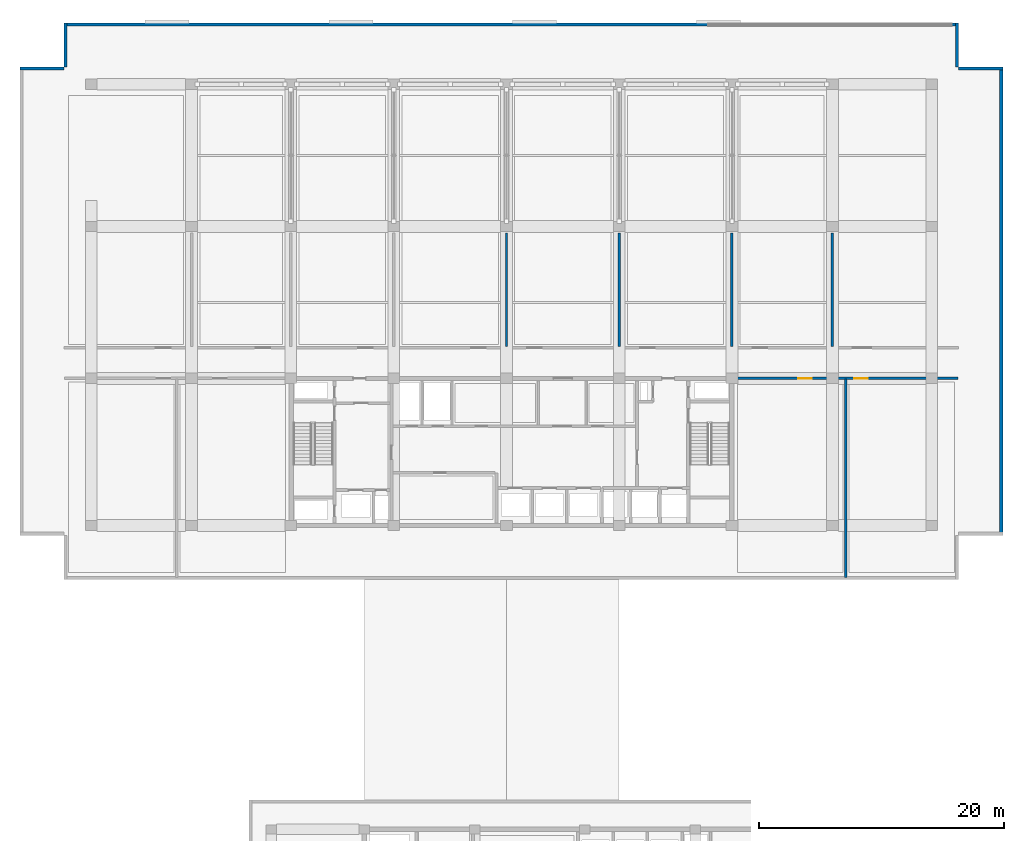
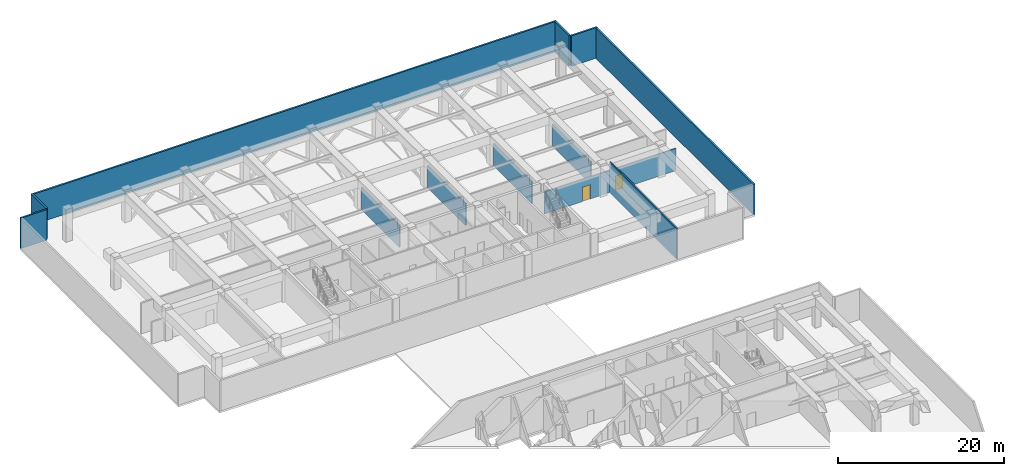
# One storey, part 13 of 22: 12 walls, 2 doors, 2 openings.
"""IFC4 building model written with IfcOpenShell, lengths in metres."""

from ifc_helpers import new_model, si_unit, direction, frame, frame_2d, origin, place, context, subcontext, project, spatial, rectangle, extrude, material, layer, layer_set, type_object, element, fill, save


model = new_model("IFC4")

# Units and contexts
model_context = context("Model", 3, precision=1e-05, world=origin(), true_north=direction((0.0, 1.0)))
body_context = subcontext(model_context, "Body", "Model", "MODEL_VIEW")
ifc_project = project(units=[si_unit("LENGTHUNIT", "METRE"), si_unit("AREAUNIT", "SQUARE_METRE"), si_unit("VOLUMEUNIT", "CUBIC_METRE"), si_unit("PLANEANGLEUNIT", "RADIAN"), si_unit("MASSUNIT", "GRAM", prefix="KILO")], contexts=[model_context])

# Site, building, storey
site_placement = place(None, origin())
site = spatial("IfcSite", under=ifc_project, at=site_placement, CompositionType="ELEMENT")
building_placement = place(site_placement, origin())
building = spatial("IfcBuilding", under=site, at=building_placement, Name="Korimba Cascade Residences", CompositionType="ELEMENT")
storey_placement = place(building_placement, frame((0.0, 0.0, 157.300048828125)))
storey = spatial("IfcBuildingStorey", under=building, at=storey_placement, Name="L45", CompositionType="ELEMENT", Elevation=157.300048828125)

# Walls
ifc_material_1 = material(Name="Precast concrete C40/50", Category="concrete")
ifc_layer_1 = layer(ifc_material_1, 0.25)
ifc_layer_set_1 = layer_set([ifc_layer_1], Name="Precast concrete C40/50")
wall_type_1 = type_object("IfcWallType", Name="EW-PLNT-250", PredefinedType="SHEAR", material=ifc_layer_set_1)
wall_1_placement = place(storey_placement, frame((134.074951171875, 54.39990234375, 0.0), z_axis=(0.0, 0.0, 1.0), x_axis=(0.0, 1.0, 0.0)))
element("IfcWall", 1, at=wall_1_placement, inside=storey, type_object=wall_type_1, Name="L45 T1 Perimeter Stone Wall E03", PredefinedType="SHEAR", context=body_context, shape_type="SweptSolid", body=[
    extrude(rectangle(XDim=38.2001953125, YDim=0.25, at=frame_2d((19.10009765625, 0.0))), origin(), (0.0, 0.0, 1.0), 4.47998046875),
])
for number, where, z_axis, x_axis, name in (
    (2, (134.199951171875, 92.47509765625, 0.0), (0.0, 0.0, 1.0), (-1.0, 0.0, 0.0), "L45 T1 Perimeter Stone Wall E04"),
    (3, (130.47509765625, 92.60009765625, 0.0), (0.0, 0.0, 1.0), (0.0, 1.0, 0.0), "L45 T1 Perimeter Stone Wall E05"),
):
    element("IfcWall", number, at=place(storey_placement, frame(where, z_axis=z_axis, x_axis=x_axis)), inside=storey, type_object=wall_type_1, Name=name, PredefinedType="SHEAR", context=body_context, shape_type="SweptSolid", body=[
        extrude(rectangle(XDim=3.599853515625, YDim=0.25, at=frame_2d((1.7998046875, 0.0))), origin(), (0.0, 0.0, 1.0), 4.47998046875),
    ])
wall_2_placement = place(storey_placement, frame((130.60009765625, 96.074951171875, 0.0), z_axis=(0.0, 0.0, 1.0), x_axis=(-1.0, 0.0, 0.0)))
element("IfcWall", 4, at=wall_2_placement, inside=storey, type_object=wall_type_1, Name="L45 T1 Perimeter Stone Wall E06", PredefinedType="SHEAR", context=body_context, shape_type="SweptSolid", body=[
    extrude(rectangle(XDim=73.0, YDim=0.25, at=frame_2d((36.5, 0.0))), origin(), (0.0, 0.0, 1.0), 4.47998046875),
])
wall_3_placement = place(storey_placement, frame((57.72509765625, 96.199951171875, 0.0), z_axis=(0.0, 0.0, 1.0), x_axis=(0.0, -1.0, 0.0)))
element("IfcWall", 5, at=wall_3_placement, inside=storey, type_object=wall_type_1, Name="L45 T1 Perimeter Stone Wall E07", PredefinedType="SHEAR", context=body_context, shape_type="SweptSolid", body=[
    extrude(rectangle(XDim=3.599853515625, YDim=0.25, at=frame_2d((1.7998046875, 0.0))), origin(), (0.0, 0.0, 1.0), 4.47998046875),
])
wall_4_placement = place(storey_placement, frame((57.60009765625, 92.47509765625, 0.0), z_axis=(0.0, 0.0, 1.0), x_axis=(-1.0, 0.0, 0.0)))
element("IfcWall", 6, at=wall_4_placement, inside=storey, type_object=wall_type_1, Name="L45 T1 Perimeter Stone Wall E08", PredefinedType="SHEAR", context=body_context, shape_type="SweptSolid", body=[
    extrude(rectangle(XDim=3.60009765625, YDim=0.25, at=frame_2d((1.800048828125, 0.0))), origin(), (0.0, 0.0, 1.0), 4.47998046875),
])
ifc_material_2 = material(Name="Concrete C40/50", Category="concrete")
ifc_layer_2 = layer(ifc_material_2, 0.199951171875)
ifc_layer_set_2 = layer_set([ifc_layer_2], Name="Concrete C40/50")
wall_type_2 = type_object("IfcWallType", Name="WAL-PART-200", PredefinedType="PARTITIONING", material=ifc_layer_set_2)
for number, where, z_axis, x_axis, name in (
    (7, (93.699951171875, 69.800048828125, 0.0), (0.0, 0.0, 1.0), (0.0, 1.0, 0.0), "L45 Partition Wall WAL-L45-T1-PD4"),
    (8, (102.89990234375, 69.800048828125, 0.0), (0.0, 0.0, 1.0), (0.0, 1.0, 0.0), "L45 Partition Wall WAL-L45-T1-PD5"),
    (9, (112.10009765625, 69.800048828125, 0.0), (0.0, 0.0, 1.0), (0.0, 1.0, 0.0), "L45 Partition Wall WAL-L45-T1-PD6"),
    (10, (120.300048828125, 69.800048828125, 0.0), (0.0, 0.0, 1.0), (0.0, 1.0, 0.0), "L45 Partition Wall WAL-L45-T1-PD7"),
):
    element("IfcWall", number, at=place(storey_placement, frame(where, z_axis=z_axis, x_axis=x_axis)), inside=storey, type_object=wall_type_2, Name=name, PredefinedType="PARTITIONING", context=body_context, shape_type="SweptSolid", body=[
        extrude(rectangle(XDim=9.25, YDim=0.199951171875, at=frame_2d((4.625, 0.0))), origin(), (0.0, 0.0, 1.0), 3.22998046875),
    ])
wall_5_placement = place(storey_placement, frame((121.39990234375, 50.949951171875, 0.0), z_axis=(0.0, 0.0, 1.0), x_axis=(0.0, 1.0, 0.0)))
element("IfcWall", 11, at=wall_5_placement, inside=storey, type_object=wall_type_2, Name="L45 Partition Wall WAL-L45-T1-RWEV", PredefinedType="PARTITIONING", context=body_context, shape_type="SweptSolid", body=[
    extrude(rectangle(XDim=16.199951171875, YDim=0.199951171875, at=frame_2d((8.10009765625, 0.0))), origin(), (0.0, 0.0, 1.0), 4.47998046875),
])

# Wall, openings, doors
wall_6_placement = place(storey_placement, frame((112.25, 67.199951171875, 0.0), z_axis=(0.0, 0.0, 1.0), x_axis=(1.0, 0.0, 0.0)))
wall_6 = element("IfcWall", 12, at=wall_6_placement, inside=storey, type_object=wall_type_2, Name="L45 Partition Wall WAL-L45-T1-RWEN", PredefinedType="PARTITIONING", context=body_context, shape_type="SweptSolid", body=[
    extrude(rectangle(XDim=18.300048828125, YDim=0.199951171875, at=frame_2d((9.14990234375, 0.0))), origin(), (0.0, 0.0, 1.0), 3.22998046875),
])
opening_1_placement = place(wall_6_placement, frame((5.2529296875, 0.0, 0.0)))
opening_1 = element("IfcOpeningElement", 13, at=opening_1_placement, cuts=wall_6, Name="Opening D-FD1", PredefinedType="OPENING", context=body_context, shape_type="SweptSolid", body=[
    extrude(rectangle(XDim=1.10009765625, YDim=2.10009765625, at=frame_2d((0.550048828125, 1.050048828125))), frame((0.0, 0.10986328125, 0.0), z_axis=(0.0, -1.0, 0.0), x_axis=(1.0, 0.0, 0.0)), (0.0, 0.0, 1.0), 0.219970703125),
])
opening_2_placement = place(wall_6_placement, frame((9.833984375, 0.0, 0.0)))
opening_2 = element("IfcOpeningElement", 14, at=opening_2_placement, cuts=wall_6, Name="Opening D-FD1", PredefinedType="OPENING", context=body_context, shape_type="SweptSolid", body=[
    extrude(rectangle(XDim=1.10009765625, YDim=2.10009765625, at=frame_2d((0.550048828125, 1.050048828125))), frame((0.0, 0.10986328125, 0.0), z_axis=(0.0, -1.0, 0.0), x_axis=(1.0, 0.0, 0.0)), (0.0, 0.0, 1.0), 0.219970703125),
])
ifc_material_3 = material(Name="Fire-Rated Steel Core Door", Category="steel")
door_type = type_object("IfcDoorType", Name="DR-FD120-1100", OperationType="NOTDEFINED", PredefinedType="DOOR", material=ifc_material_3)
door_1_placement = place(opening_1_placement, origin())
door_1 = element("IfcDoor", 15, at=door_1_placement, inside=storey, type_object=door_type, Name="L45 E Tank Plant Door", OperationType="SINGLE_SWING_RIGHT", OverallHeight=2.10009765625, OverallWidth=1.10009765625, PredefinedType="DOOR", context=body_context, shape_type="SweptSolid", body=[
    extrude(rectangle(XDim=1.10009765625, YDim=2.10009765625, at=frame_2d((0.550048828125, 1.050048828125))), frame((0.0, 0.02490234375, 0.0), z_axis=(0.0, -1.0, 0.0), x_axis=(1.0, 0.0, 0.0)), (0.0, 0.0, 1.0), 0.050048828125),
])
fill(opening_1, door_1)
door_2_placement = place(opening_2_placement, origin())
door_2 = element("IfcDoor", 16, at=door_2_placement, inside=storey, type_object=door_type, Name="L45 E Switchroom Door", OperationType="SINGLE_SWING_LEFT", OverallHeight=2.10009765625, OverallWidth=1.10009765625, PredefinedType="DOOR", context=body_context, shape_type="SweptSolid", body=[
    extrude(rectangle(XDim=1.10009765625, YDim=2.10009765625, at=frame_2d((0.550048828125, 1.050048828125))), frame((0.0, 0.02490234375, 0.0), z_axis=(0.0, -1.0, 0.0), x_axis=(1.0, 0.0, 0.0)), (0.0, 0.0, 1.0), 0.050048828125),
])
fill(opening_2, door_2)

save(model, "model.ifc")
